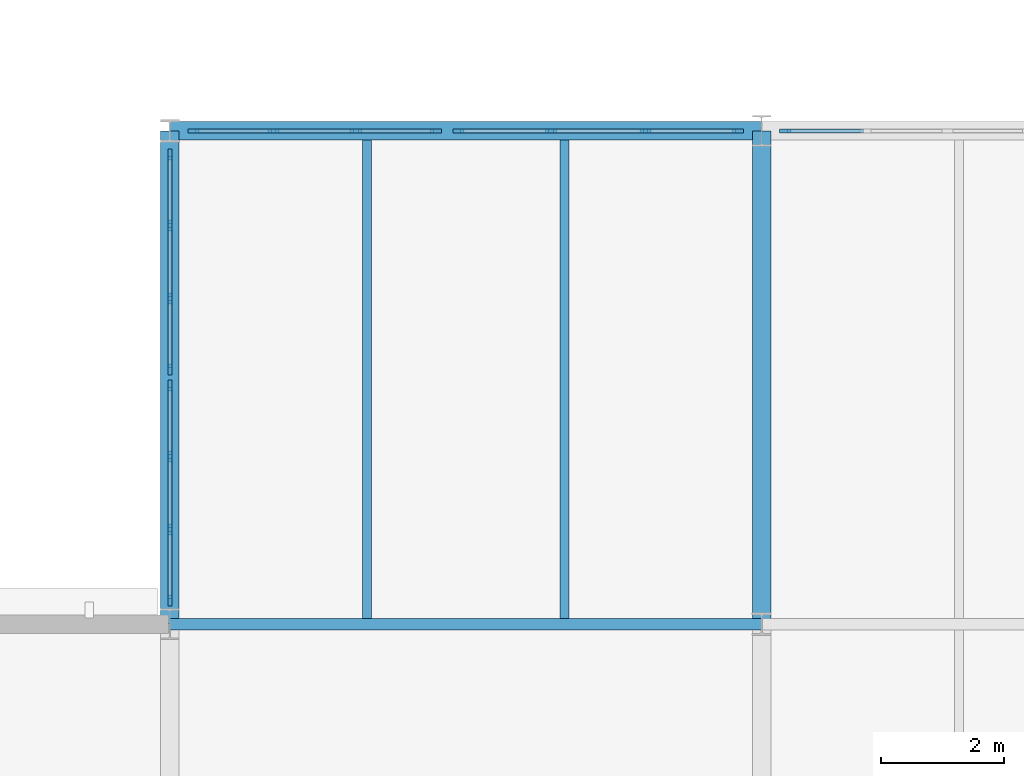
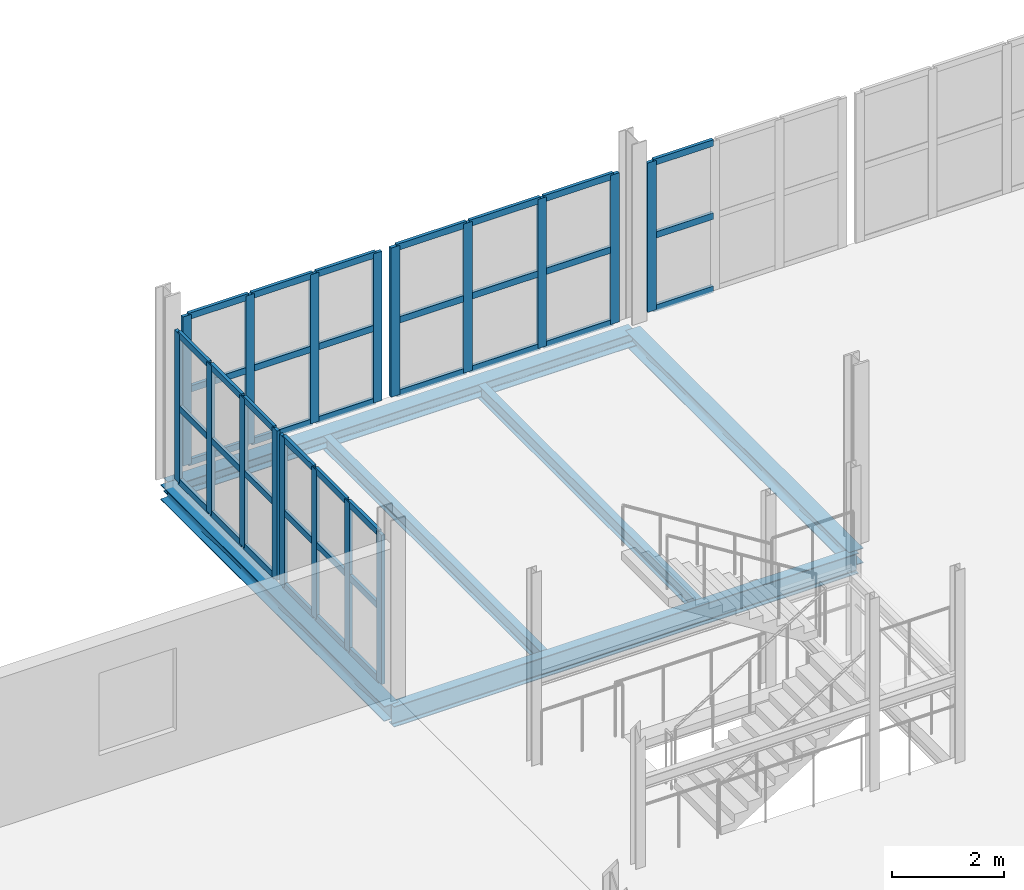
# One storey, part 39 of 78: 56 members, 6 beams, 5 elements without a shape of their own.
"""IFC4 building model written with IfcOpenShell, lengths in metres."""

from ifc_helpers import new_model, si_unit, direction, frame, origin, origin_2d, place, context, subcontext, project, spatial, rectangle, i_section, extrude, material, layer, layer_set, material_profile, profile_set, type_object, element, aggregate, save


model = new_model("IFC4")

# Units and contexts
model_context = context("Model", 3, precision=1e-05, world=origin(), true_north=direction((0.0, 1.0)))
body_context = subcontext(model_context, "Body", "Model", "MODEL_VIEW")
ifc_project = project(units=[si_unit("LENGTHUNIT", "METRE"), si_unit("AREAUNIT", "SQUARE_METRE"), si_unit("VOLUMEUNIT", "CUBIC_METRE"), si_unit("PLANEANGLEUNIT", "RADIAN"), si_unit("MASSUNIT", "GRAM", prefix="KILO")], contexts=[model_context])

# Site, building, storey
site_placement = place(None, origin())
site = spatial("IfcSite", under=ifc_project, at=site_placement, CompositionType="ELEMENT")
building_placement = place(site_placement, origin())
building = spatial("IfcBuilding", under=site, at=building_placement, Name="Alderhovde Museum", CompositionType="ELEMENT")
storey_placement = place(building_placement, frame((0.0, 0.0, 4.5)))
storey = spatial("IfcBuildingStorey", under=building, at=storey_placement, Name="L01", CompositionType="ELEMENT", Elevation=4.5)

# Beams
ifc_material_1 = material(Name="Steel S355J2", Category="steel")
ifc_material_profile_1 = material_profile(ifc_material_1, i_section(OverallWidth=0.300048828125, OverallDepth=0.330078125, WebThickness=0.009521484375, FlangeThickness=0.0166015625, FilletRadius=0.027099609375, at=origin_2d()), Name="HEA 340")
ifc_profile_set_1 = profile_set([ifc_material_profile_1], Name="Steel S355J2")
beam_type_1 = type_object("IfcBeamType", Name="BM-HEA340", PredefinedType="BEAM", material=ifc_profile_set_1)
for number, where, z_axis, x_axis, name in (
    (1, (76.800048828125, 80.0, -0.425048828125), (0.0, 1.0, 0.0), (-1.0, 0.0, 0.0), "L01 Grid Beam X=76.8 (80.0 TO 88.0)"),
    (2, (86.39990234375, 80.0, -0.425048828125), (0.0, 1.0, 0.0), (-1.0, 0.0, 0.0), "L01 Grid Beam X=86.4 (80.0 TO 88.0)"),
):
    element("IfcBeam", number, at=place(storey_placement, frame(where, z_axis=z_axis, x_axis=x_axis)), inside=storey, type_object=beam_type_1, Name=name, PredefinedType="BEAM", context=body_context, shape_type="SweptSolid", body=[
        extrude(i_section(OverallWidth=0.300048828125, OverallDepth=0.330078125, WebThickness=0.009521484375, FlangeThickness=0.0166015625, FilletRadius=0.027099609375, at=origin_2d()), origin(), (0.0, 0.0, 1.0), 8.0),
    ])
ifc_material_2 = material(Name="Steel S355J2", Category="steel")
ifc_material_profile_2 = material_profile(ifc_material_2, i_section(OverallWidth=0.18994140625, OverallDepth=0.449951171875, WebThickness=0.009521484375, FlangeThickness=0.0146484375, FilletRadius=0.02099609375, at=origin_2d()), Name="IPE 450")
ifc_profile_set_2 = profile_set([ifc_material_profile_2], Name="Steel S355J2")
beam_type_2 = type_object("IfcBeamType", Name="BM-IPE450", PredefinedType="BEAM", material=ifc_profile_set_2)
beam_1_placement = place(storey_placement, frame((76.800048828125, 80.0, -0.485107421875), z_axis=(1.0, 0.0, 0.0), x_axis=(0.0, 1.0, 0.0)))
element("IfcBeam", 3, at=beam_1_placement, inside=storey, type_object=beam_type_2, Name="L01 Grid Beam Y=80.0 (76.8 TO 86.4)", PredefinedType="BEAM", context=body_context, shape_type="SweptSolid", body=[
    extrude(i_section(OverallWidth=0.18994140625, OverallDepth=0.449951171875, WebThickness=0.009521484375, FlangeThickness=0.0146484375, FilletRadius=0.02099609375, at=origin_2d()), origin(), (0.0, 0.0, 1.0), 9.599853515625),
])

# Curtain wall, members
ifc_material_3 = material(Name="Triple-Glazed Bronze-Anodised Curtain Wall", Category="glass")
ifc_layer_1 = layer(ifc_material_3, 0.179931640625)
ifc_layer_set_1 = layer_set([ifc_layer_1], Name="Triple-Glazed Bronze-Anodised Curtain Wall")
curtain_wall_type_1 = type_object("IfcCurtainWallType", Name="CW-UNIT-400x326", PredefinedType="USERDEFINED", material=ifc_layer_set_1)
curtain_wall_1_placement = place(storey_placement, origin())
curtain_wall_1 = element("IfcCurtainWall", 4, at=curtain_wall_1_placement, inside=storey, type_object=curtain_wall_type_1, Name="L01 Unitised Curtain Wall 17", ObjectType="UNITISED CURTAIN WALL", PredefinedType="USERDEFINED")
ifc_material_4 = material(Name="Bronze-Anodised Aluminium EN AW-6063-T6", Category="aluminium")
ifc_material_profile_3 = material_profile(ifc_material_4, rectangle(XDim=0.06494140625, YDim=0.179931640625, at=origin_2d()), Name="MULLION 65x180")
ifc_profile_set_3 = profile_set([ifc_material_profile_3], Name="Bronze-Anodised Aluminium EN AW-6063-T6")
member_type_1 = type_object("IfcMemberType", Name="CWM-65x180", PredefinedType="MULLION", material=ifc_profile_set_3)
member_1_placement = place(storey_placement, frame((77.1826171875, 88.0, 0.0), z_axis=(0.0, 0.0, 1.0), x_axis=(0.0, 1.0, 0.0)))
member_1 = element("IfcMember", 5, at=member_1_placement, type_object=member_type_1, Name="CW08 mullion 1", PredefinedType="MULLION", context=body_context, shape_type="SweptSolid", body=[
    extrude(rectangle(XDim=0.06494140625, YDim=0.179931640625, at=origin_2d()), origin(), (0.0, 0.0, 1.0), 3.260009765625),
])
member_2_placement = place(storey_placement, frame((78.4833984375, 88.0, 0.0), z_axis=(0.0, 0.0, 1.0), x_axis=(0.0, 1.0, 0.0)))
member_2 = element("IfcMember", 6, at=member_2_placement, type_object=member_type_1, Name="CW08 mullion 2", PredefinedType="MULLION", context=body_context, shape_type="SweptSolid", body=[
    extrude(rectangle(XDim=0.06494140625, YDim=0.179931640625, at=origin_2d()), origin(), (0.0, 0.0, 1.0), 3.260009765625),
])
member_3_placement = place(storey_placement, frame((79.816650390625, 88.0, 0.0), z_axis=(0.0, 0.0, 1.0), x_axis=(0.0, 1.0, 0.0)))
member_3 = element("IfcMember", 7, at=member_3_placement, type_object=member_type_1, Name="CW08 mullion 3", PredefinedType="MULLION", context=body_context, shape_type="SweptSolid", body=[
    extrude(rectangle(XDim=0.06494140625, YDim=0.179931640625, at=origin_2d()), origin(), (0.0, 0.0, 1.0), 3.260009765625),
])
member_4_placement = place(storey_placement, frame((81.117431640625, 88.0, 0.0), z_axis=(0.0, 0.0, 1.0), x_axis=(0.0, 1.0, 0.0)))
member_4 = element("IfcMember", 8, at=member_4_placement, type_object=member_type_1, Name="CW08 mullion 4", PredefinedType="MULLION", context=body_context, shape_type="SweptSolid", body=[
    extrude(rectangle(XDim=0.06494140625, YDim=0.179931640625, at=origin_2d()), origin(), (0.0, 0.0, 1.0), 3.260009765625),
])

ifc_material_5 = material(Name="Triple-Glazed Bronze-Anodised Curtain Wall", Category="glass")
ifc_layer_2 = layer(ifc_material_5, 0.179931640625)
ifc_layer_set_2 = layer_set([ifc_layer_2], Name="Triple-Glazed Bronze-Anodised Curtain Wall")
curtain_wall_type_2 = type_object("IfcCurtainWallType", Name="CW-UNIT-459x326", PredefinedType="USERDEFINED", material=ifc_layer_set_2)
curtain_wall_2_placement = place(storey_placement, origin())
curtain_wall_2 = element("IfcCurtainWall", 9, at=curtain_wall_2_placement, inside=storey, type_object=curtain_wall_type_2, Name="L01 Unitised Curtain Wall 18", ObjectType="UNITISED CURTAIN WALL", PredefinedType="USERDEFINED")
member_5_placement = place(storey_placement, frame((81.482421875, 88.0, 0.0), z_axis=(0.0, 0.0, 1.0), x_axis=(0.0, 1.0, 0.0)))
member_5 = element("IfcMember", 10, at=member_5_placement, type_object=member_type_1, Name="CW09 mullion 1", PredefinedType="MULLION", context=body_context, shape_type="SweptSolid", body=[
    extrude(rectangle(XDim=0.06494140625, YDim=0.179931640625, at=origin_2d()), origin(), (0.0, 0.0, 1.0), 3.260009765625),
])
member_6_placement = place(storey_placement, frame((82.9833984375, 88.0, 0.0), z_axis=(0.0, 0.0, 1.0), x_axis=(0.0, 1.0, 0.0)))
member_6 = element("IfcMember", 11, at=member_6_placement, type_object=member_type_1, Name="CW09 mullion 2", PredefinedType="MULLION", context=body_context, shape_type="SweptSolid", body=[
    extrude(rectangle(XDim=0.06494140625, YDim=0.179931640625, at=origin_2d()), origin(), (0.0, 0.0, 1.0), 3.260009765625),
])
member_7_placement = place(storey_placement, frame((84.5166015625, 88.0, 0.0), z_axis=(0.0, 0.0, 1.0), x_axis=(0.0, 1.0, 0.0)))
member_7 = element("IfcMember", 12, at=member_7_placement, type_object=member_type_1, Name="CW09 mullion 3", PredefinedType="MULLION", context=body_context, shape_type="SweptSolid", body=[
    extrude(rectangle(XDim=0.06494140625, YDim=0.179931640625, at=origin_2d()), origin(), (0.0, 0.0, 1.0), 3.260009765625),
])
member_8_placement = place(storey_placement, frame((86.017578125, 88.0, 0.0), z_axis=(0.0, 0.0, 1.0), x_axis=(0.0, 1.0, 0.0)))
member_8 = element("IfcMember", 13, at=member_8_placement, type_object=member_type_1, Name="CW09 mullion 4", PredefinedType="MULLION", context=body_context, shape_type="SweptSolid", body=[
    extrude(rectangle(XDim=0.06494140625, YDim=0.179931640625, at=origin_2d()), origin(), (0.0, 0.0, 1.0), 3.260009765625),
])

# Curtain wall, member
curtain_wall_3_placement = place(storey_placement, origin())
curtain_wall_3 = element("IfcCurtainWall", 14, at=curtain_wall_3_placement, inside=storey, type_object=curtain_wall_type_1, Name="L01 Unitised Curtain Wall 19", ObjectType="UNITISED CURTAIN WALL", PredefinedType="USERDEFINED")
member_9_placement = place(storey_placement, frame((86.782470703125, 88.0, 0.0), z_axis=(0.0, 0.0, 1.0), x_axis=(0.0, 1.0, 0.0)))
member_9 = element("IfcMember", 15, at=member_9_placement, type_object=member_type_1, Name="CW08 mullion 1", PredefinedType="MULLION", context=body_context, shape_type="SweptSolid", body=[
    extrude(rectangle(XDim=0.06494140625, YDim=0.179931640625, at=origin_2d()), origin(), (0.0, 0.0, 1.0), 3.260009765625),
])

# Curtain wall, members
ifc_material_6 = material(Name="Triple-Glazed Bronze-Anodised Curtain Wall", Category="glass")
ifc_layer_3 = layer(ifc_material_6, 0.219970703125)
ifc_layer_set_3 = layer_set([ifc_layer_3], Name="Triple-Glazed Bronze-Anodised Curtain Wall")
curtain_wall_type_3 = type_object("IfcCurtainWallType", Name="CW-STIC-355x326", PredefinedType="USERDEFINED", material=ifc_layer_set_3)
curtain_wall_4_placement = place(storey_placement, origin())
curtain_wall_4 = element("IfcCurtainWall", 16, at=curtain_wall_4_placement, inside=storey, type_object=curtain_wall_type_3, Name="L01 Stick Curtain Wall 25", ObjectType="STICK CURTAIN WALL", PredefinedType="USERDEFINED")
member_10_placement = place(storey_placement, frame((76.800048828125, 80.382568359375, 0.0), z_axis=(0.0, 0.0, 1.0), x_axis=(-1.0, 0.0, 0.0)))
member_10 = element("IfcMember", 17, at=member_10_placement, type_object=member_type_1, Name="CW05 mullion 1", PredefinedType="MULLION", context=body_context, shape_type="SweptSolid", body=[
    extrude(rectangle(XDim=0.06494140625, YDim=0.179931640625, at=origin_2d()), origin(), (0.0, 0.0, 1.0), 3.260009765625),
])
member_11_placement = place(storey_placement, frame((76.800048828125, 81.533447265625, 0.0), z_axis=(0.0, 0.0, 1.0), x_axis=(-1.0, 0.0, 0.0)))
member_11 = element("IfcMember", 18, at=member_11_placement, type_object=member_type_1, Name="CW05 mullion 2", PredefinedType="MULLION", context=body_context, shape_type="SweptSolid", body=[
    extrude(rectangle(XDim=0.06494140625, YDim=0.179931640625, at=origin_2d()), origin(), (0.0, 0.0, 1.0), 3.260009765625),
])
member_12_placement = place(storey_placement, frame((76.800048828125, 82.716552734375, 0.0), z_axis=(0.0, 0.0, 1.0), x_axis=(-1.0, 0.0, 0.0)))
member_12 = element("IfcMember", 19, at=member_12_placement, type_object=member_type_1, Name="CW05 mullion 3", PredefinedType="MULLION", context=body_context, shape_type="SweptSolid", body=[
    extrude(rectangle(XDim=0.06494140625, YDim=0.179931640625, at=origin_2d()), origin(), (0.0, 0.0, 1.0), 3.260009765625),
])
member_13_placement = place(storey_placement, frame((76.800048828125, 83.867431640625, 0.0), z_axis=(0.0, 0.0, 1.0), x_axis=(-1.0, 0.0, 0.0)))
member_13 = element("IfcMember", 20, at=member_13_placement, type_object=member_type_1, Name="CW05 mullion 4", PredefinedType="MULLION", context=body_context, shape_type="SweptSolid", body=[
    extrude(rectangle(XDim=0.06494140625, YDim=0.179931640625, at=origin_2d()), origin(), (0.0, 0.0, 1.0), 3.260009765625),
])

curtain_wall_5_placement = place(storey_placement, origin())
curtain_wall_5 = element("IfcCurtainWall", 21, at=curtain_wall_5_placement, inside=storey, type_object=curtain_wall_type_3, Name="L01 Stick Curtain Wall 26", ObjectType="STICK CURTAIN WALL", PredefinedType="USERDEFINED")
member_14_placement = place(storey_placement, frame((76.800048828125, 84.132568359375, 0.0), z_axis=(0.0, 0.0, 1.0), x_axis=(-1.0, 0.0, 0.0)))
member_14 = element("IfcMember", 22, at=member_14_placement, type_object=member_type_1, Name="CW05 mullion 1", PredefinedType="MULLION", context=body_context, shape_type="SweptSolid", body=[
    extrude(rectangle(XDim=0.06494140625, YDim=0.179931640625, at=origin_2d()), origin(), (0.0, 0.0, 1.0), 3.260009765625),
])
member_15_placement = place(storey_placement, frame((76.800048828125, 85.283447265625, 0.0), z_axis=(0.0, 0.0, 1.0), x_axis=(-1.0, 0.0, 0.0)))
member_15 = element("IfcMember", 23, at=member_15_placement, type_object=member_type_1, Name="CW05 mullion 2", PredefinedType="MULLION", context=body_context, shape_type="SweptSolid", body=[
    extrude(rectangle(XDim=0.06494140625, YDim=0.179931640625, at=origin_2d()), origin(), (0.0, 0.0, 1.0), 3.260009765625),
])
member_16_placement = place(storey_placement, frame((76.800048828125, 86.466552734375, 0.0), z_axis=(0.0, 0.0, 1.0), x_axis=(-1.0, 0.0, 0.0)))
member_16 = element("IfcMember", 24, at=member_16_placement, type_object=member_type_1, Name="CW05 mullion 3", PredefinedType="MULLION", context=body_context, shape_type="SweptSolid", body=[
    extrude(rectangle(XDim=0.06494140625, YDim=0.179931640625, at=origin_2d()), origin(), (0.0, 0.0, 1.0), 3.260009765625),
])
member_17_placement = place(storey_placement, frame((76.800048828125, 87.617431640625, 0.0), z_axis=(0.0, 0.0, 1.0), x_axis=(-1.0, 0.0, 0.0)))
member_17 = element("IfcMember", 25, at=member_17_placement, type_object=member_type_1, Name="CW05 mullion 4", PredefinedType="MULLION", context=body_context, shape_type="SweptSolid", body=[
    extrude(rectangle(XDim=0.06494140625, YDim=0.179931640625, at=origin_2d()), origin(), (0.0, 0.0, 1.0), 3.260009765625),
])

# Member
ifc_material_7 = material(Name="Bronze-Anodised Aluminium EN AW-6063-T6", Category="aluminium")
ifc_material_profile_4 = material_profile(ifc_material_7, rectangle(XDim=0.06494140625, YDim=0.139892578125, at=origin_2d()), Name="TRANSOM 65x140")
ifc_profile_set_4 = profile_set([ifc_material_profile_4], Name="Bronze-Anodised Aluminium EN AW-6063-T6")
member_type_2 = type_object("IfcMemberType", Name="CWT-65x140", PredefinedType="USERDEFINED", material=ifc_profile_set_4)
member_18_placement = place(storey_placement, frame((77.215087890625, 88.0, 0.032470703125), z_axis=(1.0, 0.0, 0.0), x_axis=(0.0, 1.0, 0.0)))
member_18 = element("IfcMember", 26, at=member_18_placement, type_object=member_type_2, Name="CW08 transom 1.1", ObjectType="TRANSOM", PredefinedType="USERDEFINED", context=body_context, shape_type="SweptSolid", body=[
    extrude(rectangle(XDim=0.06494140625, YDim=0.139892578125, at=origin_2d()), origin(), (0.0, 0.0, 1.0), 1.23583984375),
])

member_19_placement = place(storey_placement, frame((77.215087890625, 88.0, 1.6298828125), z_axis=(1.0, 0.0, 0.0), x_axis=(0.0, 1.0, 0.0)))
member_19 = element("IfcMember", 27, at=member_19_placement, type_object=member_type_2, Name="CW08 transom 1.2", ObjectType="TRANSOM", PredefinedType="USERDEFINED", context=body_context, shape_type="SweptSolid", body=[
    extrude(rectangle(XDim=0.06494140625, YDim=0.139892578125, at=origin_2d()), origin(), (0.0, 0.0, 1.0), 1.23583984375),
])

member_20_placement = place(storey_placement, frame((77.215087890625, 88.0, 3.2275390625), z_axis=(1.0, 0.0, 0.0), x_axis=(0.0, 1.0, 0.0)))
member_20 = element("IfcMember", 28, at=member_20_placement, type_object=member_type_2, Name="CW08 transom 1.3", ObjectType="TRANSOM", PredefinedType="USERDEFINED", context=body_context, shape_type="SweptSolid", body=[
    extrude(rectangle(XDim=0.06494140625, YDim=0.139892578125, at=origin_2d()), origin(), (0.0, 0.0, 1.0), 1.23583984375),
])

member_21_placement = place(storey_placement, frame((78.515869140625, 88.0, 0.032470703125), z_axis=(1.0, 0.0, 0.0), x_axis=(0.0, 1.0, 0.0)))
member_21 = element("IfcMember", 29, at=member_21_placement, type_object=member_type_2, Name="CW08 transom 2.1", ObjectType="TRANSOM", PredefinedType="USERDEFINED", context=body_context, shape_type="SweptSolid", body=[
    extrude(rectangle(XDim=0.06494140625, YDim=0.139892578125, at=origin_2d()), origin(), (0.0, 0.0, 1.0), 1.268310546875),
])

member_22_placement = place(storey_placement, frame((78.515869140625, 88.0, 1.6298828125), z_axis=(1.0, 0.0, 0.0), x_axis=(0.0, 1.0, 0.0)))
member_22 = element("IfcMember", 30, at=member_22_placement, type_object=member_type_2, Name="CW08 transom 2.2", ObjectType="TRANSOM", PredefinedType="USERDEFINED", context=body_context, shape_type="SweptSolid", body=[
    extrude(rectangle(XDim=0.06494140625, YDim=0.139892578125, at=origin_2d()), origin(), (0.0, 0.0, 1.0), 1.268310546875),
])

member_23_placement = place(storey_placement, frame((78.515869140625, 88.0, 3.2275390625), z_axis=(1.0, 0.0, 0.0), x_axis=(0.0, 1.0, 0.0)))
member_23 = element("IfcMember", 31, at=member_23_placement, type_object=member_type_2, Name="CW08 transom 2.3", ObjectType="TRANSOM", PredefinedType="USERDEFINED", context=body_context, shape_type="SweptSolid", body=[
    extrude(rectangle(XDim=0.06494140625, YDim=0.139892578125, at=origin_2d()), origin(), (0.0, 0.0, 1.0), 1.268310546875),
])

member_24_placement = place(storey_placement, frame((79.84912109375, 88.0, 0.032470703125), z_axis=(1.0, 0.0, 0.0), x_axis=(0.0, 1.0, 0.0)))
member_24 = element("IfcMember", 32, at=member_24_placement, type_object=member_type_2, Name="CW08 transom 3.1", ObjectType="TRANSOM", PredefinedType="USERDEFINED", context=body_context, shape_type="SweptSolid", body=[
    extrude(rectangle(XDim=0.06494140625, YDim=0.139892578125, at=origin_2d()), origin(), (0.0, 0.0, 1.0), 1.23583984375),
])

member_25_placement = place(storey_placement, frame((79.84912109375, 88.0, 1.6298828125), z_axis=(1.0, 0.0, 0.0), x_axis=(0.0, 1.0, 0.0)))
member_25 = element("IfcMember", 33, at=member_25_placement, type_object=member_type_2, Name="CW08 transom 3.2", ObjectType="TRANSOM", PredefinedType="USERDEFINED", context=body_context, shape_type="SweptSolid", body=[
    extrude(rectangle(XDim=0.06494140625, YDim=0.139892578125, at=origin_2d()), origin(), (0.0, 0.0, 1.0), 1.23583984375),
])

member_26_placement = place(storey_placement, frame((79.84912109375, 88.0, 3.2275390625), z_axis=(1.0, 0.0, 0.0), x_axis=(0.0, 1.0, 0.0)))
member_26 = element("IfcMember", 34, at=member_26_placement, type_object=member_type_2, Name="CW08 transom 3.3", ObjectType="TRANSOM", PredefinedType="USERDEFINED", context=body_context, shape_type="SweptSolid", body=[
    extrude(rectangle(XDim=0.06494140625, YDim=0.139892578125, at=origin_2d()), origin(), (0.0, 0.0, 1.0), 1.23583984375),
])

aggregate(curtain_wall_1, [member_1, member_2, member_3, member_4, member_18, member_19, member_20, member_21, member_22, member_23, member_24, member_25, member_26])

member_27_placement = place(storey_placement, frame((81.514892578125, 88.0, 0.032470703125), z_axis=(1.0, 0.0, 0.0), x_axis=(0.0, 1.0, 0.0)))
member_27 = element("IfcMember", 35, at=member_27_placement, type_object=member_type_2, Name="CW09 transom 1.1", ObjectType="TRANSOM", PredefinedType="USERDEFINED", context=body_context, shape_type="SweptSolid", body=[
    extrude(rectangle(XDim=0.06494140625, YDim=0.139892578125, at=origin_2d()), origin(), (0.0, 0.0, 1.0), 1.43603515625),
])

member_28_placement = place(storey_placement, frame((81.514892578125, 88.0, 1.6298828125), z_axis=(1.0, 0.0, 0.0), x_axis=(0.0, 1.0, 0.0)))
member_28 = element("IfcMember", 36, at=member_28_placement, type_object=member_type_2, Name="CW09 transom 1.2", ObjectType="TRANSOM", PredefinedType="USERDEFINED", context=body_context, shape_type="SweptSolid", body=[
    extrude(rectangle(XDim=0.06494140625, YDim=0.139892578125, at=origin_2d()), origin(), (0.0, 0.0, 1.0), 1.43603515625),
])

member_29_placement = place(storey_placement, frame((81.514892578125, 88.0, 3.2275390625), z_axis=(1.0, 0.0, 0.0), x_axis=(0.0, 1.0, 0.0)))
member_29 = element("IfcMember", 37, at=member_29_placement, type_object=member_type_2, Name="CW09 transom 1.3", ObjectType="TRANSOM", PredefinedType="USERDEFINED", context=body_context, shape_type="SweptSolid", body=[
    extrude(rectangle(XDim=0.06494140625, YDim=0.139892578125, at=origin_2d()), origin(), (0.0, 0.0, 1.0), 1.43603515625),
])

member_30_placement = place(storey_placement, frame((83.015869140625, 88.0, 0.032470703125), z_axis=(1.0, 0.0, 0.0), x_axis=(0.0, 1.0, 0.0)))
member_30 = element("IfcMember", 38, at=member_30_placement, type_object=member_type_2, Name="CW09 transom 2.1", ObjectType="TRANSOM", PredefinedType="USERDEFINED", context=body_context, shape_type="SweptSolid", body=[
    extrude(rectangle(XDim=0.06494140625, YDim=0.139892578125, at=origin_2d()), origin(), (0.0, 0.0, 1.0), 1.46826171875),
])

member_31_placement = place(storey_placement, frame((83.015869140625, 88.0, 1.6298828125), z_axis=(1.0, 0.0, 0.0), x_axis=(0.0, 1.0, 0.0)))
member_31 = element("IfcMember", 39, at=member_31_placement, type_object=member_type_2, Name="CW09 transom 2.2", ObjectType="TRANSOM", PredefinedType="USERDEFINED", context=body_context, shape_type="SweptSolid", body=[
    extrude(rectangle(XDim=0.06494140625, YDim=0.139892578125, at=origin_2d()), origin(), (0.0, 0.0, 1.0), 1.46826171875),
])

member_32_placement = place(storey_placement, frame((83.015869140625, 88.0, 3.2275390625), z_axis=(1.0, 0.0, 0.0), x_axis=(0.0, 1.0, 0.0)))
member_32 = element("IfcMember", 40, at=member_32_placement, type_object=member_type_2, Name="CW09 transom 2.3", ObjectType="TRANSOM", PredefinedType="USERDEFINED", context=body_context, shape_type="SweptSolid", body=[
    extrude(rectangle(XDim=0.06494140625, YDim=0.139892578125, at=origin_2d()), origin(), (0.0, 0.0, 1.0), 1.46826171875),
])

member_33_placement = place(storey_placement, frame((84.549072265625, 88.0, 0.032470703125), z_axis=(1.0, 0.0, 0.0), x_axis=(0.0, 1.0, 0.0)))
member_33 = element("IfcMember", 41, at=member_33_placement, type_object=member_type_2, Name="CW09 transom 3.1", ObjectType="TRANSOM", PredefinedType="USERDEFINED", context=body_context, shape_type="SweptSolid", body=[
    extrude(rectangle(XDim=0.06494140625, YDim=0.139892578125, at=origin_2d()), origin(), (0.0, 0.0, 1.0), 1.43603515625),
])

member_34_placement = place(storey_placement, frame((84.549072265625, 88.0, 1.6298828125), z_axis=(1.0, 0.0, 0.0), x_axis=(0.0, 1.0, 0.0)))
member_34 = element("IfcMember", 42, at=member_34_placement, type_object=member_type_2, Name="CW09 transom 3.2", ObjectType="TRANSOM", PredefinedType="USERDEFINED", context=body_context, shape_type="SweptSolid", body=[
    extrude(rectangle(XDim=0.06494140625, YDim=0.139892578125, at=origin_2d()), origin(), (0.0, 0.0, 1.0), 1.43603515625),
])

member_35_placement = place(storey_placement, frame((84.549072265625, 88.0, 3.2275390625), z_axis=(1.0, 0.0, 0.0), x_axis=(0.0, 1.0, 0.0)))
member_35 = element("IfcMember", 43, at=member_35_placement, type_object=member_type_2, Name="CW09 transom 3.3", ObjectType="TRANSOM", PredefinedType="USERDEFINED", context=body_context, shape_type="SweptSolid", body=[
    extrude(rectangle(XDim=0.06494140625, YDim=0.139892578125, at=origin_2d()), origin(), (0.0, 0.0, 1.0), 1.43603515625),
])

aggregate(curtain_wall_2, [member_5, member_6, member_7, member_8, member_27, member_28, member_29, member_30, member_31, member_32, member_33, member_34, member_35])

member_36_placement = place(storey_placement, frame((86.81494140625, 88.0, 0.032470703125), z_axis=(1.0, 0.0, 0.0), x_axis=(0.0, 1.0, 0.0)))
member_36 = element("IfcMember", 44, at=member_36_placement, type_object=member_type_2, Name="CW08 transom 1.1", ObjectType="TRANSOM", PredefinedType="USERDEFINED", context=body_context, shape_type="SweptSolid", body=[
    extrude(rectangle(XDim=0.06494140625, YDim=0.139892578125, at=origin_2d()), origin(), (0.0, 0.0, 1.0), 1.23583984375),
])

member_37_placement = place(storey_placement, frame((86.81494140625, 88.0, 1.6298828125), z_axis=(1.0, 0.0, 0.0), x_axis=(0.0, 1.0, 0.0)))
member_37 = element("IfcMember", 45, at=member_37_placement, type_object=member_type_2, Name="CW08 transom 1.2", ObjectType="TRANSOM", PredefinedType="USERDEFINED", context=body_context, shape_type="SweptSolid", body=[
    extrude(rectangle(XDim=0.06494140625, YDim=0.139892578125, at=origin_2d()), origin(), (0.0, 0.0, 1.0), 1.23583984375),
])

member_38_placement = place(storey_placement, frame((86.81494140625, 88.0, 3.2275390625), z_axis=(1.0, 0.0, 0.0), x_axis=(0.0, 1.0, 0.0)))
member_38 = element("IfcMember", 46, at=member_38_placement, type_object=member_type_2, Name="CW08 transom 1.3", ObjectType="TRANSOM", PredefinedType="USERDEFINED", context=body_context, shape_type="SweptSolid", body=[
    extrude(rectangle(XDim=0.06494140625, YDim=0.139892578125, at=origin_2d()), origin(), (0.0, 0.0, 1.0), 1.23583984375),
])

aggregate(curtain_wall_3, [member_9, member_36, member_37, member_38])

member_39_placement = place(storey_placement, frame((76.800048828125, 80.4150390625, 0.032470703125), z_axis=(0.0, 1.0, 0.0), x_axis=(-1.0, 0.0, 0.0)))
member_39 = element("IfcMember", 47, at=member_39_placement, type_object=member_type_2, Name="CW05 transom 1.1", ObjectType="TRANSOM", PredefinedType="USERDEFINED", context=body_context, shape_type="SweptSolid", body=[
    extrude(rectangle(XDim=0.06494140625, YDim=0.139892578125, at=origin_2d()), origin(), (0.0, 0.0, 1.0), 1.085693359375),
])

member_40_placement = place(storey_placement, frame((76.800048828125, 80.4150390625, 1.6298828125), z_axis=(0.0, 1.0, 0.0), x_axis=(-1.0, 0.0, 0.0)))
member_40 = element("IfcMember", 48, at=member_40_placement, type_object=member_type_2, Name="CW05 transom 1.2", ObjectType="TRANSOM", PredefinedType="USERDEFINED", context=body_context, shape_type="SweptSolid", body=[
    extrude(rectangle(XDim=0.06494140625, YDim=0.139892578125, at=origin_2d()), origin(), (0.0, 0.0, 1.0), 1.085693359375),
])

member_41_placement = place(storey_placement, frame((76.800048828125, 80.4150390625, 3.2275390625), z_axis=(0.0, 1.0, 0.0), x_axis=(-1.0, 0.0, 0.0)))
member_41 = element("IfcMember", 49, at=member_41_placement, type_object=member_type_2, Name="CW05 transom 1.3", ObjectType="TRANSOM", PredefinedType="USERDEFINED", context=body_context, shape_type="SweptSolid", body=[
    extrude(rectangle(XDim=0.06494140625, YDim=0.139892578125, at=origin_2d()), origin(), (0.0, 0.0, 1.0), 1.085693359375),
])

member_42_placement = place(storey_placement, frame((76.800048828125, 81.56591796875, 0.032470703125), z_axis=(0.0, 1.0, 0.0), x_axis=(-1.0, 0.0, 0.0)))
member_42 = element("IfcMember", 50, at=member_42_placement, type_object=member_type_2, Name="CW05 transom 2.1", ObjectType="TRANSOM", PredefinedType="USERDEFINED", context=body_context, shape_type="SweptSolid", body=[
    extrude(rectangle(XDim=0.06494140625, YDim=0.139892578125, at=origin_2d()), origin(), (0.0, 0.0, 1.0), 1.1181640625),
])

member_43_placement = place(storey_placement, frame((76.800048828125, 81.56591796875, 1.6298828125), z_axis=(0.0, 1.0, 0.0), x_axis=(-1.0, 0.0, 0.0)))
member_43 = element("IfcMember", 51, at=member_43_placement, type_object=member_type_2, Name="CW05 transom 2.2", ObjectType="TRANSOM", PredefinedType="USERDEFINED", context=body_context, shape_type="SweptSolid", body=[
    extrude(rectangle(XDim=0.06494140625, YDim=0.139892578125, at=origin_2d()), origin(), (0.0, 0.0, 1.0), 1.1181640625),
])

member_44_placement = place(storey_placement, frame((76.800048828125, 81.56591796875, 3.2275390625), z_axis=(0.0, 1.0, 0.0), x_axis=(-1.0, 0.0, 0.0)))
member_44 = element("IfcMember", 52, at=member_44_placement, type_object=member_type_2, Name="CW05 transom 2.3", ObjectType="TRANSOM", PredefinedType="USERDEFINED", context=body_context, shape_type="SweptSolid", body=[
    extrude(rectangle(XDim=0.06494140625, YDim=0.139892578125, at=origin_2d()), origin(), (0.0, 0.0, 1.0), 1.1181640625),
])

member_45_placement = place(storey_placement, frame((76.800048828125, 82.749267578125, 0.032470703125), z_axis=(0.0, 1.0, 0.0), x_axis=(-1.0, 0.0, 0.0)))
member_45 = element("IfcMember", 53, at=member_45_placement, type_object=member_type_2, Name="CW05 transom 3.1", ObjectType="TRANSOM", PredefinedType="USERDEFINED", context=body_context, shape_type="SweptSolid", body=[
    extrude(rectangle(XDim=0.06494140625, YDim=0.139892578125, at=origin_2d()), origin(), (0.0, 0.0, 1.0), 1.085693359375),
])

member_46_placement = place(storey_placement, frame((76.800048828125, 82.749267578125, 1.6298828125), z_axis=(0.0, 1.0, 0.0), x_axis=(-1.0, 0.0, 0.0)))
member_46 = element("IfcMember", 54, at=member_46_placement, type_object=member_type_2, Name="CW05 transom 3.2", ObjectType="TRANSOM", PredefinedType="USERDEFINED", context=body_context, shape_type="SweptSolid", body=[
    extrude(rectangle(XDim=0.06494140625, YDim=0.139892578125, at=origin_2d()), origin(), (0.0, 0.0, 1.0), 1.085693359375),
])

member_47_placement = place(storey_placement, frame((76.800048828125, 82.749267578125, 3.2275390625), z_axis=(0.0, 1.0, 0.0), x_axis=(-1.0, 0.0, 0.0)))
member_47 = element("IfcMember", 55, at=member_47_placement, type_object=member_type_2, Name="CW05 transom 3.3", ObjectType="TRANSOM", PredefinedType="USERDEFINED", context=body_context, shape_type="SweptSolid", body=[
    extrude(rectangle(XDim=0.06494140625, YDim=0.139892578125, at=origin_2d()), origin(), (0.0, 0.0, 1.0), 1.085693359375),
])

aggregate(curtain_wall_4, [member_10, member_11, member_12, member_13, member_39, member_40, member_41, member_42, member_43, member_44, member_45, member_46, member_47])

member_48_placement = place(storey_placement, frame((76.800048828125, 84.1650390625, 0.032470703125), z_axis=(0.0, 1.0, 0.0), x_axis=(-1.0, 0.0, 0.0)))
member_48 = element("IfcMember", 56, at=member_48_placement, type_object=member_type_2, Name="CW05 transom 1.1", ObjectType="TRANSOM", PredefinedType="USERDEFINED", context=body_context, shape_type="SweptSolid", body=[
    extrude(rectangle(XDim=0.06494140625, YDim=0.139892578125, at=origin_2d()), origin(), (0.0, 0.0, 1.0), 1.085693359375),
])

member_49_placement = place(storey_placement, frame((76.800048828125, 84.1650390625, 1.6298828125), z_axis=(0.0, 1.0, 0.0), x_axis=(-1.0, 0.0, 0.0)))
member_49 = element("IfcMember", 57, at=member_49_placement, type_object=member_type_2, Name="CW05 transom 1.2", ObjectType="TRANSOM", PredefinedType="USERDEFINED", context=body_context, shape_type="SweptSolid", body=[
    extrude(rectangle(XDim=0.06494140625, YDim=0.139892578125, at=origin_2d()), origin(), (0.0, 0.0, 1.0), 1.085693359375),
])

member_50_placement = place(storey_placement, frame((76.800048828125, 84.1650390625, 3.2275390625), z_axis=(0.0, 1.0, 0.0), x_axis=(-1.0, 0.0, 0.0)))
member_50 = element("IfcMember", 58, at=member_50_placement, type_object=member_type_2, Name="CW05 transom 1.3", ObjectType="TRANSOM", PredefinedType="USERDEFINED", context=body_context, shape_type="SweptSolid", body=[
    extrude(rectangle(XDim=0.06494140625, YDim=0.139892578125, at=origin_2d()), origin(), (0.0, 0.0, 1.0), 1.085693359375),
])

member_51_placement = place(storey_placement, frame((76.800048828125, 85.31591796875, 0.032470703125), z_axis=(0.0, 1.0, 0.0), x_axis=(-1.0, 0.0, 0.0)))
member_51 = element("IfcMember", 59, at=member_51_placement, type_object=member_type_2, Name="CW05 transom 2.1", ObjectType="TRANSOM", PredefinedType="USERDEFINED", context=body_context, shape_type="SweptSolid", body=[
    extrude(rectangle(XDim=0.06494140625, YDim=0.139892578125, at=origin_2d()), origin(), (0.0, 0.0, 1.0), 1.1181640625),
])

member_52_placement = place(storey_placement, frame((76.800048828125, 85.31591796875, 1.6298828125), z_axis=(0.0, 1.0, 0.0), x_axis=(-1.0, 0.0, 0.0)))
member_52 = element("IfcMember", 60, at=member_52_placement, type_object=member_type_2, Name="CW05 transom 2.2", ObjectType="TRANSOM", PredefinedType="USERDEFINED", context=body_context, shape_type="SweptSolid", body=[
    extrude(rectangle(XDim=0.06494140625, YDim=0.139892578125, at=origin_2d()), origin(), (0.0, 0.0, 1.0), 1.1181640625),
])

member_53_placement = place(storey_placement, frame((76.800048828125, 85.31591796875, 3.2275390625), z_axis=(0.0, 1.0, 0.0), x_axis=(-1.0, 0.0, 0.0)))
member_53 = element("IfcMember", 61, at=member_53_placement, type_object=member_type_2, Name="CW05 transom 2.3", ObjectType="TRANSOM", PredefinedType="USERDEFINED", context=body_context, shape_type="SweptSolid", body=[
    extrude(rectangle(XDim=0.06494140625, YDim=0.139892578125, at=origin_2d()), origin(), (0.0, 0.0, 1.0), 1.1181640625),
])

member_54_placement = place(storey_placement, frame((76.800048828125, 86.499267578125, 0.032470703125), z_axis=(0.0, 1.0, 0.0), x_axis=(-1.0, 0.0, 0.0)))
member_54 = element("IfcMember", 62, at=member_54_placement, type_object=member_type_2, Name="CW05 transom 3.1", ObjectType="TRANSOM", PredefinedType="USERDEFINED", context=body_context, shape_type="SweptSolid", body=[
    extrude(rectangle(XDim=0.06494140625, YDim=0.139892578125, at=origin_2d()), origin(), (0.0, 0.0, 1.0), 1.085693359375),
])

member_55_placement = place(storey_placement, frame((76.800048828125, 86.499267578125, 1.6298828125), z_axis=(0.0, 1.0, 0.0), x_axis=(-1.0, 0.0, 0.0)))
member_55 = element("IfcMember", 63, at=member_55_placement, type_object=member_type_2, Name="CW05 transom 3.2", ObjectType="TRANSOM", PredefinedType="USERDEFINED", context=body_context, shape_type="SweptSolid", body=[
    extrude(rectangle(XDim=0.06494140625, YDim=0.139892578125, at=origin_2d()), origin(), (0.0, 0.0, 1.0), 1.085693359375),
])

member_56_placement = place(storey_placement, frame((76.800048828125, 86.499267578125, 3.2275390625), z_axis=(0.0, 1.0, 0.0), x_axis=(-1.0, 0.0, 0.0)))
member_56 = element("IfcMember", 64, at=member_56_placement, type_object=member_type_2, Name="CW05 transom 3.3", ObjectType="TRANSOM", PredefinedType="USERDEFINED", context=body_context, shape_type="SweptSolid", body=[
    extrude(rectangle(XDim=0.06494140625, YDim=0.139892578125, at=origin_2d()), origin(), (0.0, 0.0, 1.0), 1.085693359375),
])

aggregate(curtain_wall_5, [member_14, member_15, member_16, member_17, member_48, member_49, member_50, member_51, member_52, member_53, member_54, member_55, member_56])

# Beams
ifc_material_8 = material(Name="Steel S355J2", Category="steel")
ifc_material_profile_5 = material_profile(ifc_material_8, i_section(OverallWidth=0.14990234375, OverallDepth=0.300048828125, WebThickness=0.007080078125, FlangeThickness=0.0107421875, FilletRadius=0.014892578125, at=origin_2d()), Name="IPE 300")
ifc_profile_set_5 = profile_set([ifc_material_profile_5], Name="Steel S355J2")
beam_type_3 = type_object("IfcBeamType", Name="JST-IPE300", PredefinedType="JOIST", material=ifc_profile_set_5)
for number, where, z_axis, x_axis, name in (
    (65, (80.0, 80.094970703125, -0.409912109375), (0.0, 1.0, 0.0), (-1.0, 0.0, 0.0), "L01 Composite Joist X=80.0 (80.0 TO 88.0)"),
    (66, (83.199951171875, 80.094970703125, -0.409912109375), (0.0, 1.0, 0.0), (-1.0, 0.0, 0.0), "L01 Composite Joist X=83.2 (80.0 TO 88.0)"),
):
    element("IfcBeam", number, at=place(storey_placement, frame(where, z_axis=z_axis, x_axis=x_axis)), inside=storey, type_object=beam_type_3, Name=name, PredefinedType="JOIST", context=body_context, shape_type="SweptSolid", body=[
        extrude(i_section(OverallWidth=0.14990234375, OverallDepth=0.300048828125, WebThickness=0.007080078125, FlangeThickness=0.0107421875, FilletRadius=0.014892578125, at=origin_2d()), origin(), (0.0, 0.0, 1.0), 7.755126953125),
    ])
ifc_material_9 = material(Name="Steel S355J2", Category="steel")
ifc_material_profile_6 = material_profile(ifc_material_9, i_section(OverallWidth=0.300048828125, OverallDepth=0.2900390625, WebThickness=0.008544921875, FlangeThickness=0.013916015625, FilletRadius=0.027099609375, at=origin_2d()), Name="HEA 300")
ifc_profile_set_6 = profile_set([ifc_material_profile_6], Name="Steel S355J2")
beam_type_4 = type_object("IfcBeamType", Name="SPD-HEA300", PredefinedType="SPANDREL", material=ifc_profile_set_6)
beam_2_placement = place(storey_placement, frame((76.800048828125, 88.0, -0.405029296875), z_axis=(1.0, 0.0, 0.0), x_axis=(0.0, 1.0, 0.0)))
element("IfcBeam", 67, at=beam_2_placement, inside=storey, type_object=beam_type_4, Name="L01 Grid Beam Y=88.0 (76.8 TO 86.4)", PredefinedType="SPANDREL", context=body_context, shape_type="SweptSolid", body=[
    extrude(i_section(OverallWidth=0.300048828125, OverallDepth=0.2900390625, WebThickness=0.008544921875, FlangeThickness=0.013916015625, FilletRadius=0.027099609375, at=origin_2d()), origin(), (0.0, 0.0, 1.0), 9.599853515625),
])

save(model, "model.ifc")
